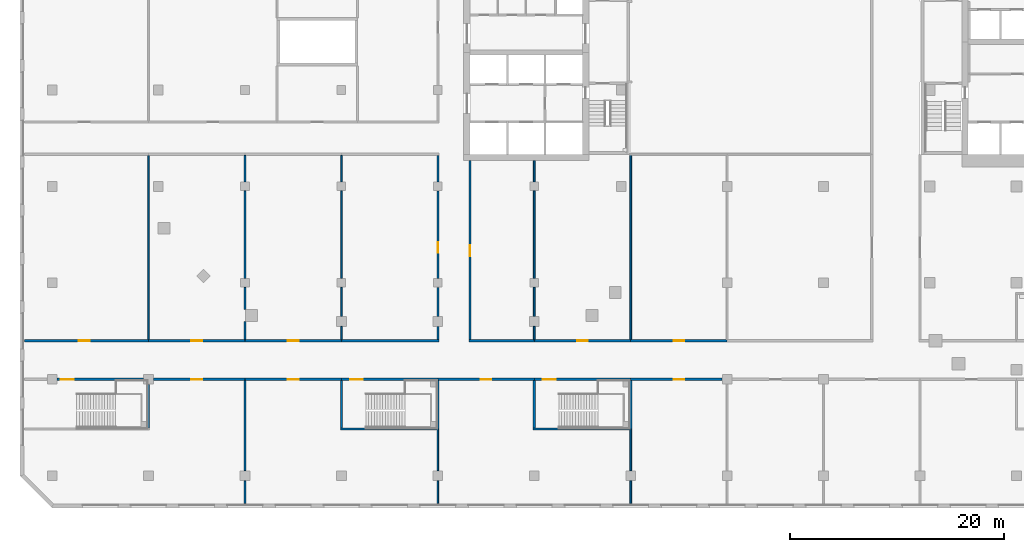
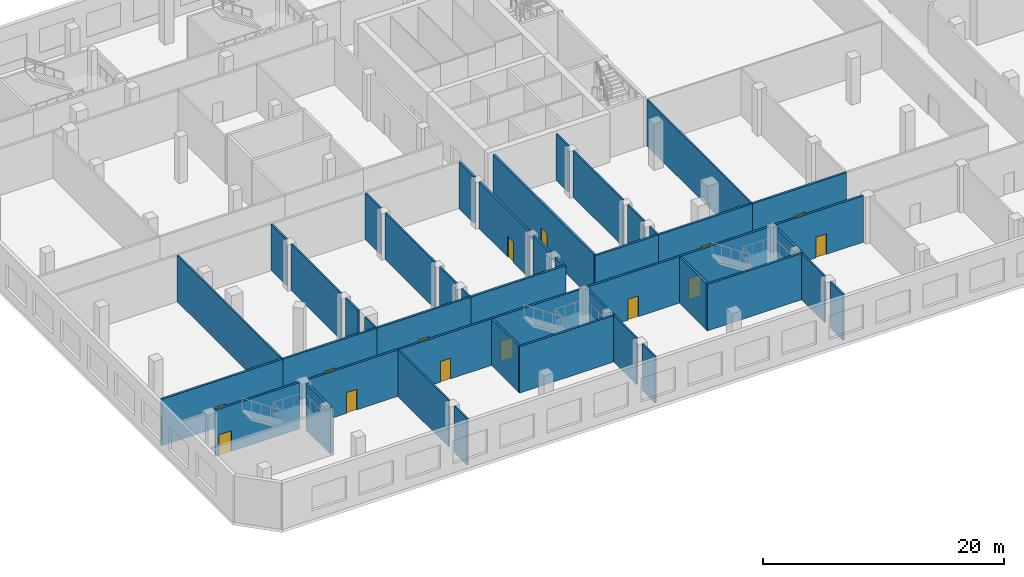
# One storey, part 4 of 21: 46 walls, 14 doors, 14 openings.
"""IFC4 building model written with IfcOpenShell, lengths in metres."""

from ifc_helpers import new_model, si_unit, direction, frame, frame_2d, origin, place, context, subcontext, project, spatial, rectangle, extrude, material, layer, layer_set, type_object, element, fill, save


model = new_model("IFC4")

# Units and contexts
model_context = context("Model", 3, precision=1e-05, world=origin(), true_north=direction((0.0, 1.0)))
body_context = subcontext(model_context, "Body", "Model", "MODEL_VIEW")
ifc_project = project(units=[si_unit("LENGTHUNIT", "METRE"), si_unit("AREAUNIT", "SQUARE_METRE"), si_unit("VOLUMEUNIT", "CUBIC_METRE"), si_unit("PLANEANGLEUNIT", "RADIAN"), si_unit("MASSUNIT", "GRAM", prefix="KILO")], contexts=[model_context])

# Site, building, storey
site_placement = place(None, origin())
site = spatial("IfcSite", under=ifc_project, at=site_placement, CompositionType="ELEMENT")
building_placement = place(site_placement, origin())
building = spatial("IfcBuilding", under=site, at=building_placement, Name="Cinnabar Reach Civic Tower", CompositionType="ELEMENT")
storey_placement = place(building_placement, frame((0.0, 0.0, 11.0)))
storey = spatial("IfcBuildingStorey", under=building, at=storey_placement, Name="L02", CompositionType="ELEMENT", Elevation=11.0)

# Wall, opening, door
ifc_material_1 = material(Name="Concrete blockwork", Category="masonry")
ifc_layer_1 = layer(ifc_material_1, 0.2)
ifc_layer_set_1 = layer_set([ifc_layer_1], Name="Podium masonry corridor wall 200 EI 120")
wall_type_1 = type_object("IfcWallType", Name="Podium masonry corridor wall 200 EI 120", PredefinedType="PARTITIONING", material=ifc_layer_set_1)
wall_1_placement = place(storey_placement, frame((-71.53, 0.0, 0.0), z_axis=(0.0, 0.0, 1.0), x_axis=(1.0, 0.0, 0.0)))
wall_1 = element("IfcWall", 1, at=wall_1_placement, inside=storey, type_object=wall_type_1, Name="Wall L02 41", PredefinedType="PARTITIONING", context=body_context, shape_type="SweptSolid", body=[
    extrude(rectangle(XDim=8.53, YDim=0.2, at=frame_2d((4.265, 0.0))), origin(), (0.0, 0.0, 1.0), 4.7),
])
opening_1_placement = place(wall_1_placement, frame((3.53, 0.0, 0.0)))
opening_1 = element("IfcOpeningElement", 2, at=opening_1_placement, cuts=wall_1, Name="Opening D1110", PredefinedType="OPENING", context=body_context, shape_type="SweptSolid", body=[
    extrude(rectangle(XDim=1.0, YDim=2.1, at=frame_2d((0.5, 1.05))), frame((0.0, 0.11, 0.0), z_axis=(0.0, -1.0, 0.0), x_axis=(1.0, 0.0, 0.0)), (0.0, 0.0, 1.0), 0.22),
])
ifc_material_2 = material(Name="Painted steel door leaf", Category="steel")
door_type_1 = type_object("IfcDoorType", Name="Podium single door 1000x2100", OperationType="SINGLE_SWING_LEFT", PredefinedType="DOOR", material=ifc_material_2)
door_1_placement = place(opening_1_placement, frame((1.0, 0.0, 0.0), z_axis=(0.0, 0.0, 1.0), x_axis=(-1.0, 0.0, 0.0)))
door_1 = element("IfcDoor", 3, at=door_1_placement, inside=storey, type_object=door_type_1, Name="Door D1110", OperationType="SINGLE_SWING_LEFT", OverallHeight=2.1, OverallWidth=1.0, PredefinedType="DOOR", context=body_context, shape_type="SweptSolid", body=[
    extrude(rectangle(XDim=1.0, YDim=2.1, at=frame_2d((0.5, 1.05))), frame((0.0, 0.025, 0.0), z_axis=(0.0, -1.0, 0.0), x_axis=(1.0, 0.0, 0.0)), (0.0, 0.0, 1.0), 0.05),
])
fill(opening_1, door_1)

wall_2_placement = place(storey_placement, frame((-63.0, 0.0, 0.0), z_axis=(0.0, 0.0, 1.0), x_axis=(1.0, 0.0, 0.0)))
wall_2 = element("IfcWall", 4, at=wall_2_placement, inside=storey, type_object=wall_type_1, Name="Wall L02 42", PredefinedType="PARTITIONING", context=body_context, shape_type="SweptSolid", body=[
    extrude(rectangle(XDim=9.0, YDim=0.2, at=frame_2d((4.5, 0.0))), origin(), (0.0, 0.0, 1.0), 4.7),
])
opening_2_placement = place(wall_2_placement, frame((4.0, 0.0, 0.0)))
opening_2 = element("IfcOpeningElement", 5, at=opening_2_placement, cuts=wall_2, Name="Opening D1111", PredefinedType="OPENING", context=body_context, shape_type="SweptSolid", body=[
    extrude(rectangle(XDim=1.0, YDim=2.1, at=frame_2d((0.5, 1.05))), frame((0.0, 0.11, 0.0), z_axis=(0.0, -1.0, 0.0), x_axis=(1.0, 0.0, 0.0)), (0.0, 0.0, 1.0), 0.22),
])
door_2_placement = place(opening_2_placement, frame((1.0, 0.0, 0.0), z_axis=(0.0, 0.0, 1.0), x_axis=(-1.0, 0.0, 0.0)))
door_2 = element("IfcDoor", 6, at=door_2_placement, inside=storey, type_object=door_type_1, Name="Door D1111", OperationType="SINGLE_SWING_LEFT", OverallHeight=2.1, OverallWidth=1.0, PredefinedType="DOOR", context=body_context, shape_type="SweptSolid", body=[
    extrude(rectangle(XDim=1.0, YDim=2.1, at=frame_2d((0.5, 1.05))), frame((0.0, 0.025, 0.0), z_axis=(0.0, -1.0, 0.0), x_axis=(1.0, 0.0, 0.0)), (0.0, 0.0, 1.0), 0.05),
])
fill(opening_2, door_2)

wall_3_placement = place(storey_placement, frame((-45.0, 0.0, 0.0), z_axis=(0.0, 0.0, 1.0), x_axis=(1.0, 0.0, 0.0)))
wall_3 = element("IfcWall", 7, at=wall_3_placement, inside=storey, type_object=wall_type_1, Name="Wall L02 43", PredefinedType="PARTITIONING", context=body_context, shape_type="SweptSolid", body=[
    extrude(rectangle(XDim=9.0, YDim=0.2, at=frame_2d((4.5, 0.0))), origin(), (0.0, 0.0, 1.0), 4.7),
])
opening_3_placement = place(wall_3_placement, frame((4.0, 0.0, 0.0)))
opening_3 = element("IfcOpeningElement", 8, at=opening_3_placement, cuts=wall_3, Name="Opening D1112", PredefinedType="OPENING", context=body_context, shape_type="SweptSolid", body=[
    extrude(rectangle(XDim=1.0, YDim=2.1, at=frame_2d((0.5, 1.05))), frame((0.0, 0.11, 0.0), z_axis=(0.0, -1.0, 0.0), x_axis=(1.0, 0.0, 0.0)), (0.0, 0.0, 1.0), 0.22),
])
door_3_placement = place(opening_3_placement, frame((1.0, 0.0, 0.0), z_axis=(0.0, 0.0, 1.0), x_axis=(-1.0, 0.0, 0.0)))
door_3 = element("IfcDoor", 9, at=door_3_placement, inside=storey, type_object=door_type_1, Name="Door D1112", OperationType="SINGLE_SWING_LEFT", OverallHeight=2.1, OverallWidth=1.0, PredefinedType="DOOR", context=body_context, shape_type="SweptSolid", body=[
    extrude(rectangle(XDim=1.0, YDim=2.1, at=frame_2d((0.5, 1.05))), frame((0.0, 0.025, 0.0), z_axis=(0.0, -1.0, 0.0), x_axis=(1.0, 0.0, 0.0)), (0.0, 0.0, 1.0), 0.05),
])
fill(opening_3, door_3)

wall_4_placement = place(storey_placement, frame((-83.6, 3.6, 0.0), z_axis=(0.0, 0.0, 1.0), x_axis=(1.0, 0.0, 0.0)))
wall_4 = element("IfcWall", 10, at=wall_4_placement, inside=storey, type_object=wall_type_1, Name="Wall L02 44", PredefinedType="PARTITIONING", context=body_context, shape_type="SweptSolid", body=[
    extrude(rectangle(XDim=11.6, YDim=0.2, at=frame_2d((5.8, 0.0))), origin(), (0.0, 0.0, 1.0), 4.7),
])
opening_4_placement = place(wall_4_placement, frame((5.1, 0.0, 0.0)))
opening_4 = element("IfcOpeningElement", 11, at=opening_4_placement, cuts=wall_4, Name="Opening D1118", PredefinedType="OPENING", context=body_context, shape_type="SweptSolid", body=[
    extrude(rectangle(XDim=1.0, YDim=2.1, at=frame_2d((0.5, 1.05))), frame((0.0, 0.11, 0.0), z_axis=(0.0, -1.0, 0.0), x_axis=(1.0, 0.0, 0.0)), (0.0, 0.0, 1.0), 0.22),
])
door_4_placement = place(opening_4_placement, origin())
door_4 = element("IfcDoor", 12, at=door_4_placement, inside=storey, type_object=door_type_1, Name="Door D1118", OperationType="SINGLE_SWING_LEFT", OverallHeight=2.1, OverallWidth=1.0, PredefinedType="DOOR", context=body_context, shape_type="SweptSolid", body=[
    extrude(rectangle(XDim=1.0, YDim=2.1, at=frame_2d((0.5, 1.05))), frame((0.0, 0.025, 0.0), z_axis=(0.0, -1.0, 0.0), x_axis=(1.0, 0.0, 0.0)), (0.0, 0.0, 1.0), 0.05),
])
fill(opening_4, door_4)

wall_5_placement = place(storey_placement, frame((-72.0, 3.6, 0.0), z_axis=(0.0, 0.0, 1.0), x_axis=(1.0, 0.0, 0.0)))
wall_5 = element("IfcWall", 13, at=wall_5_placement, inside=storey, type_object=wall_type_1, Name="Wall L02 45", PredefinedType="PARTITIONING", context=body_context, shape_type="SweptSolid", body=[
    extrude(rectangle(XDim=9.0, YDim=0.2, at=frame_2d((4.5, 0.0))), origin(), (0.0, 0.0, 1.0), 4.7),
])
opening_5_placement = place(wall_5_placement, frame((4.0, 0.0, 0.0)))
opening_5 = element("IfcOpeningElement", 14, at=opening_5_placement, cuts=wall_5, Name="Opening D1119", PredefinedType="OPENING", context=body_context, shape_type="SweptSolid", body=[
    extrude(rectangle(XDim=1.0, YDim=2.1, at=frame_2d((0.5, 1.05))), frame((0.0, 0.11, 0.0), z_axis=(0.0, -1.0, 0.0), x_axis=(1.0, 0.0, 0.0)), (0.0, 0.0, 1.0), 0.22),
])
door_5_placement = place(opening_5_placement, origin())
door_5 = element("IfcDoor", 15, at=door_5_placement, inside=storey, type_object=door_type_1, Name="Door D1119", OperationType="SINGLE_SWING_LEFT", OverallHeight=2.1, OverallWidth=1.0, PredefinedType="DOOR", context=body_context, shape_type="SweptSolid", body=[
    extrude(rectangle(XDim=1.0, YDim=2.1, at=frame_2d((0.5, 1.05))), frame((0.0, 0.025, 0.0), z_axis=(0.0, -1.0, 0.0), x_axis=(1.0, 0.0, 0.0)), (0.0, 0.0, 1.0), 0.05),
])
fill(opening_5, door_5)

wall_6_placement = place(storey_placement, frame((-63.0, 3.6, 0.0), z_axis=(0.0, 0.0, 1.0), x_axis=(1.0, 0.0, 0.0)))
wall_6 = element("IfcWall", 16, at=wall_6_placement, inside=storey, type_object=wall_type_1, Name="Wall L02 46", PredefinedType="PARTITIONING", context=body_context, shape_type="SweptSolid", body=[
    extrude(rectangle(XDim=9.0, YDim=0.2, at=frame_2d((4.5, 0.0))), origin(), (0.0, 0.0, 1.0), 4.7),
])
opening_6_placement = place(wall_6_placement, frame((4.0, 0.0, 0.0)))
opening_6 = element("IfcOpeningElement", 17, at=opening_6_placement, cuts=wall_6, Name="Opening D1120", PredefinedType="OPENING", context=body_context, shape_type="SweptSolid", body=[
    extrude(rectangle(XDim=1.0, YDim=2.1, at=frame_2d((0.5, 1.05))), frame((0.0, 0.11, 0.0), z_axis=(0.0, -1.0, 0.0), x_axis=(1.0, 0.0, 0.0)), (0.0, 0.0, 1.0), 0.22),
])
door_6_placement = place(opening_6_placement, origin())
door_6 = element("IfcDoor", 18, at=door_6_placement, inside=storey, type_object=door_type_1, Name="Door D1120", OperationType="SINGLE_SWING_LEFT", OverallHeight=2.1, OverallWidth=1.0, PredefinedType="DOOR", context=body_context, shape_type="SweptSolid", body=[
    extrude(rectangle(XDim=1.0, YDim=2.1, at=frame_2d((0.5, 1.05))), frame((0.0, 0.025, 0.0), z_axis=(0.0, -1.0, 0.0), x_axis=(1.0, 0.0, 0.0)), (0.0, 0.0, 1.0), 0.05),
])
fill(opening_6, door_6)

# Walls
wall_7_placement = place(storey_placement, frame((-54.0, 3.6, 0.0), z_axis=(0.0, 0.0, 1.0), x_axis=(1.0, 0.0, 0.0)))
element("IfcWall", 19, at=wall_7_placement, inside=storey, type_object=wall_type_1, Name="Wall L02 47", PredefinedType="PARTITIONING", context=body_context, shape_type="SweptSolid", body=[
    extrude(rectangle(XDim=9.1, YDim=0.2, at=frame_2d((4.55, 0.0))), origin(), (0.0, 0.0, 1.0), 4.7),
])
wall_8_placement = place(storey_placement, frame((-42.1, 3.6, 0.0), z_axis=(0.0, 0.0, 1.0), x_axis=(1.0, 0.0, 0.0)))
element("IfcWall", 20, at=wall_8_placement, inside=storey, type_object=wall_type_1, Name="Wall L02 48", PredefinedType="PARTITIONING", context=body_context, shape_type="SweptSolid", body=[
    extrude(rectangle(XDim=6.1, YDim=0.2, at=frame_2d((3.05, 0.0))), origin(), (0.0, 0.0, 1.0), 4.7),
])

# Wall, opening, door
wall_9_placement = place(storey_placement, frame((-36.0, 3.6, 0.0), z_axis=(0.0, 0.0, 1.0), x_axis=(1.0, 0.0, 0.0)))
wall_9 = element("IfcWall", 21, at=wall_9_placement, inside=storey, type_object=wall_type_1, Name="Wall L02 49", PredefinedType="PARTITIONING", context=body_context, shape_type="SweptSolid", body=[
    extrude(rectangle(XDim=9.0, YDim=0.2, at=frame_2d((4.5, 0.0))), origin(), (0.0, 0.0, 1.0), 4.7),
])
opening_7_placement = place(wall_9_placement, frame((4.0, 0.0, 0.0)))
opening_7 = element("IfcOpeningElement", 22, at=opening_7_placement, cuts=wall_9, Name="Opening D1123", PredefinedType="OPENING", context=body_context, shape_type="SweptSolid", body=[
    extrude(rectangle(XDim=1.0, YDim=2.1, at=frame_2d((0.5, 1.05))), frame((0.0, 0.11, 0.0), z_axis=(0.0, -1.0, 0.0), x_axis=(1.0, 0.0, 0.0)), (0.0, 0.0, 1.0), 0.22),
])
door_7_placement = place(opening_7_placement, origin())
door_7 = element("IfcDoor", 23, at=door_7_placement, inside=storey, type_object=door_type_1, Name="Door D1123", OperationType="SINGLE_SWING_LEFT", OverallHeight=2.1, OverallWidth=1.0, PredefinedType="DOOR", context=body_context, shape_type="SweptSolid", body=[
    extrude(rectangle(XDim=1.0, YDim=2.1, at=frame_2d((0.5, 1.05))), frame((0.0, 0.025, 0.0), z_axis=(0.0, -1.0, 0.0), x_axis=(1.0, 0.0, 0.0)), (0.0, 0.0, 1.0), 0.05),
])
fill(opening_7, door_7)

# Walls
wall_10_placement = place(storey_placement, frame((-45.0, 3.7, 0.0), z_axis=(0.0, 0.0, 1.0), x_axis=(0.0, 1.0, 0.0)))
element("IfcWall", 24, at=wall_10_placement, inside=storey, type_object=wall_type_1, Name="Wall L02 65", PredefinedType="PARTITIONING", context=body_context, shape_type="SweptSolid", body=[
    extrude(rectangle(XDim=1.23, YDim=0.2, at=frame_2d((0.615, 0.0))), origin(), (0.0, 0.0, 1.0), 4.7),
])
wall_11_placement = place(storey_placement, frame((-45.0, 5.87, 0.0), z_axis=(0.0, 0.0, 1.0), x_axis=(0.0, 1.0, 0.0)))
element("IfcWall", 25, at=wall_11_placement, inside=storey, type_object=wall_type_1, Name="Wall L02 66", PredefinedType="PARTITIONING", context=body_context, shape_type="SweptSolid", body=[
    extrude(rectangle(XDim=2.71, YDim=0.2, at=frame_2d((1.355, 0.0))), origin(), (0.0, 0.0, 1.0), 4.7),
])

# Wall, opening, door
wall_12_placement = place(storey_placement, frame((-45.0, 9.42, 0.0), z_axis=(0.0, 0.0, 1.0), x_axis=(0.0, 1.0, 0.0)))
wall_12 = element("IfcWall", 26, at=wall_12_placement, inside=storey, type_object=wall_type_1, Name="Wall L02 67", PredefinedType="PARTITIONING", context=body_context, shape_type="SweptSolid", body=[
    extrude(rectangle(XDim=8.16, YDim=0.2, at=frame_2d((4.08, 0.0))), origin(), (0.0, 0.0, 1.0), 4.7),
])
opening_8_placement = place(wall_12_placement, frame((2.38, 0.0, 0.0)))
opening_8 = element("IfcOpeningElement", 27, at=opening_8_placement, cuts=wall_12, Name="Opening D1121", PredefinedType="OPENING", context=body_context, shape_type="SweptSolid", body=[
    extrude(rectangle(XDim=1.0, YDim=2.1, at=frame_2d((0.5, 1.05))), frame((0.0, 0.11, 0.0), z_axis=(0.0, -1.0, 0.0), x_axis=(1.0, 0.0, 0.0)), (0.0, 0.0, 1.0), 0.22),
])
door_8_placement = place(opening_8_placement, origin())
door_8 = element("IfcDoor", 28, at=door_8_placement, inside=storey, type_object=door_type_1, Name="Door D1121", OperationType="SINGLE_SWING_RIGHT", OverallHeight=2.1, OverallWidth=1.0, PredefinedType="DOOR", context=body_context, shape_type="SweptSolid", body=[
    extrude(rectangle(XDim=1.0, YDim=2.1, at=frame_2d((0.5, 1.05))), frame((0.0, 0.025, 0.0), z_axis=(0.0, -1.0, 0.0), x_axis=(1.0, 0.0, 0.0)), (0.0, 0.0, 1.0), 0.05),
])
fill(opening_8, door_8)

# Wall
wall_13_placement = place(storey_placement, frame((-45.0, 18.42, 0.0), z_axis=(0.0, 0.0, 1.0), x_axis=(0.0, 1.0, 0.0)))
element("IfcWall", 29, at=wall_13_placement, inside=storey, type_object=wall_type_1, Name="Wall L02 68", PredefinedType="PARTITIONING", context=body_context, shape_type="SweptSolid", body=[
    extrude(rectangle(XDim=2.48, YDim=0.2, at=frame_2d((1.24, 0.0))), origin(), (0.0, 0.0, 1.0), 4.7),
])

# Wall, opening, door
wall_14_placement = place(storey_placement, frame((-42.0, 3.7, 0.0), z_axis=(0.0, 0.0, 1.0), x_axis=(0.0, 1.0, 0.0)))
wall_14 = element("IfcWall", 30, at=wall_14_placement, inside=storey, type_object=wall_type_1, Name="Wall L02 69", PredefinedType="PARTITIONING", context=body_context, shape_type="SweptSolid", body=[
    extrude(rectangle(XDim=16.7, YDim=0.2, at=frame_2d((8.35, 0.0))), origin(), (0.0, 0.0, 1.0), 4.7),
])
opening_9_placement = place(wall_14_placement, frame((7.8, 0.0, 0.0)))
opening_9 = element("IfcOpeningElement", 31, at=opening_9_placement, cuts=wall_14, Name="Opening D1122", PredefinedType="OPENING", context=body_context, shape_type="SweptSolid", body=[
    extrude(rectangle(XDim=1.0, YDim=2.1, at=frame_2d((0.5, 1.05))), frame((0.0, 0.11, 0.0), z_axis=(0.0, -1.0, 0.0), x_axis=(1.0, 0.0, 0.0)), (0.0, 0.0, 1.0), 0.22),
])
door_9_placement = place(opening_9_placement, frame((1.0, 0.0, 0.0), z_axis=(0.0, 0.0, 1.0), x_axis=(-1.0, 0.0, 0.0)))
door_9 = element("IfcDoor", 32, at=door_9_placement, inside=storey, type_object=door_type_1, Name="Door D1122", OperationType="SINGLE_SWING_RIGHT", OverallHeight=2.1, OverallWidth=1.0, PredefinedType="DOOR", context=body_context, shape_type="SweptSolid", body=[
    extrude(rectangle(XDim=1.0, YDim=2.1, at=frame_2d((0.5, 1.05))), frame((0.0, 0.025, 0.0), z_axis=(0.0, -1.0, 0.0), x_axis=(1.0, 0.0, 0.0)), (0.0, 0.0, 1.0), 0.05),
])
fill(opening_9, door_9)

wall_15_placement = place(storey_placement, frame((-27.0, 3.6, 0.0), z_axis=(0.0, 0.0, 1.0), x_axis=(1.0, 0.0, 0.0)))
wall_15 = element("IfcWall", 33, at=wall_15_placement, inside=storey, type_object=wall_type_1, Name="Wall L02 121", PredefinedType="PARTITIONING", context=body_context, shape_type="SweptSolid", body=[
    extrude(rectangle(XDim=9.0, YDim=0.2, at=frame_2d((4.5, 0.0))), origin(), (0.0, 0.0, 1.0), 4.7),
])
opening_10_placement = place(wall_15_placement, frame((4.0, 0.0, 0.0)))
opening_10 = element("IfcOpeningElement", 34, at=opening_10_placement, cuts=wall_15, Name="Opening D1102", PredefinedType="OPENING", context=body_context, shape_type="SweptSolid", body=[
    extrude(rectangle(XDim=1.0, YDim=2.1, at=frame_2d((0.5, 1.05))), frame((0.0, 0.11, 0.0), z_axis=(0.0, -1.0, 0.0), x_axis=(1.0, 0.0, 0.0)), (0.0, 0.0, 1.0), 0.22),
])
door_10_placement = place(opening_10_placement, origin())
door_10 = element("IfcDoor", 35, at=door_10_placement, inside=storey, type_object=door_type_1, Name="Door D1102", OperationType="SINGLE_SWING_RIGHT", OverallHeight=2.1, OverallWidth=1.0, PredefinedType="DOOR", context=body_context, shape_type="SweptSolid", body=[
    extrude(rectangle(XDim=1.0, YDim=2.1, at=frame_2d((0.5, 1.05))), frame((0.0, 0.025, 0.0), z_axis=(0.0, -1.0, 0.0), x_axis=(1.0, 0.0, 0.0)), (0.0, 0.0, 1.0), 0.05),
])
fill(opening_10, door_10)

wall_16_placement = place(storey_placement, frame((-27.0, 0.0, 0.0), z_axis=(0.0, 0.0, 1.0), x_axis=(1.0, 0.0, 0.0)))
wall_16 = element("IfcWall", 36, at=wall_16_placement, inside=storey, type_object=wall_type_1, Name="Wall L02 123", PredefinedType="PARTITIONING", context=body_context, shape_type="SweptSolid", body=[
    extrude(rectangle(XDim=8.53, YDim=0.2, at=frame_2d((4.265, 0.0))), origin(), (0.0, 0.0, 1.0), 4.7),
])
opening_11_placement = place(wall_16_placement, frame((4.0, 0.0, 0.0)))
opening_11 = element("IfcOpeningElement", 37, at=opening_11_placement, cuts=wall_16, Name="Opening D1107", PredefinedType="OPENING", context=body_context, shape_type="SweptSolid", body=[
    extrude(rectangle(XDim=1.0, YDim=2.1, at=frame_2d((0.5, 1.05))), frame((0.0, 0.11, 0.0), z_axis=(0.0, -1.0, 0.0), x_axis=(1.0, 0.0, 0.0)), (0.0, 0.0, 1.0), 0.22),
])
door_11_placement = place(opening_11_placement, frame((1.0, 0.0, 0.0), z_axis=(0.0, 0.0, 1.0), x_axis=(-1.0, 0.0, 0.0)))
door_11 = element("IfcDoor", 38, at=door_11_placement, inside=storey, type_object=door_type_1, Name="Door D1107", OperationType="SINGLE_SWING_LEFT", OverallHeight=2.1, OverallWidth=1.0, PredefinedType="DOOR", context=body_context, shape_type="SweptSolid", body=[
    extrude(rectangle(XDim=1.0, YDim=2.1, at=frame_2d((0.5, 1.05))), frame((0.0, 0.025, 0.0), z_axis=(0.0, -1.0, 0.0), x_axis=(1.0, 0.0, 0.0)), (0.0, 0.0, 1.0), 0.05),
])
fill(opening_11, door_11)

# Walls
ifc_material_3 = material(Name="Gypsum board on steel studs", Category="steel")
ifc_layer_2 = layer(ifc_material_3, 0.15)
ifc_layer_set_2 = layer_set([ifc_layer_2], Name="Podium partition wall 150 EI 90")
wall_type_2 = type_object("IfcWallType", Name="Podium partition wall 150 EI 90", PredefinedType="PARTITIONING", material=ifc_layer_set_2)
wall_17_placement = place(storey_placement, frame((-27.0, 3.7, 0.0), z_axis=(0.0, 0.0, 1.0), x_axis=(0.0, 1.0, 0.0)))
element("IfcWall", 39, at=wall_17_placement, inside=storey, type_object=wall_type_2, Name="Wall L02 137", PredefinedType="PARTITIONING", context=body_context, shape_type="SweptSolid", body=[
    extrude(rectangle(XDim=17.225, YDim=0.15, at=frame_2d((8.6125, 0.0))), origin(), (0.0, 0.0, 1.0), 4.7),
])
wall_18_placement = place(storey_placement, frame((-27.0, -11.6, 0.0), z_axis=(0.0, 0.0, 1.0), x_axis=(0.0, 1.0, 0.0)))
element("IfcWall", 40, at=wall_18_placement, inside=storey, type_object=wall_type_2, Name="Wall L02 153", PredefinedType="PARTITIONING", context=body_context, shape_type="SweptSolid", body=[
    extrude(rectangle(XDim=2.13, YDim=0.15, at=frame_2d((1.065, 0.0))), origin(), (0.0, 0.0, 1.0), 4.7),
])
wall_19_placement = place(storey_placement, frame((-27.0, -8.53, 0.0), z_axis=(0.0, 0.0, 1.0), x_axis=(0.0, 1.0, 0.0)))
element("IfcWall", 41, at=wall_19_placement, inside=storey, type_object=wall_type_2, Name="Wall L02 154", PredefinedType="PARTITIONING", context=body_context, shape_type="SweptSolid", body=[
    extrude(rectangle(XDim=3.88, YDim=0.15, at=frame_2d((1.94, 0.0))), origin(), (0.0, 0.0, 1.0), 4.7),
])
wall_20_placement = place(storey_placement, frame((-63.0, -11.6, 0.0), z_axis=(0.0, 0.0, 1.0), x_axis=(0.0, 1.0, 0.0)))
element("IfcWall", 42, at=wall_20_placement, inside=storey, type_object=wall_type_2, Name="Wall L02 159", PredefinedType="PARTITIONING", context=body_context, shape_type="SweptSolid", body=[
    extrude(rectangle(XDim=2.13, YDim=0.15, at=frame_2d((1.065, 0.0))), origin(), (0.0, 0.0, 1.0), 4.7),
])
wall_21_placement = place(storey_placement, frame((-63.0, -8.53, 0.0), z_axis=(0.0, 0.0, 1.0), x_axis=(0.0, 1.0, 0.0)))
element("IfcWall", 43, at=wall_21_placement, inside=storey, type_object=wall_type_2, Name="Wall L02 160", PredefinedType="PARTITIONING", context=body_context, shape_type="SweptSolid", body=[
    extrude(rectangle(XDim=8.43, YDim=0.15, at=frame_2d((4.215, 0.0))), origin(), (0.0, 0.0, 1.0), 4.7),
])
wall_22_placement = place(storey_placement, frame((-45.0, -11.6, 0.0), z_axis=(0.0, 0.0, 1.0), x_axis=(0.0, 1.0, 0.0)))
element("IfcWall", 44, at=wall_22_placement, inside=storey, type_object=wall_type_2, Name="Wall L02 161", PredefinedType="PARTITIONING", context=body_context, shape_type="SweptSolid", body=[
    extrude(rectangle(XDim=2.13, YDim=0.15, at=frame_2d((1.065, 0.0))), origin(), (0.0, 0.0, 1.0), 4.7),
])
wall_23_placement = place(storey_placement, frame((-45.0, -8.53, 0.0), z_axis=(0.0, 0.0, 1.0), x_axis=(0.0, 1.0, 0.0)))
element("IfcWall", 45, at=wall_23_placement, inside=storey, type_object=wall_type_2, Name="Wall L02 162", PredefinedType="PARTITIONING", context=body_context, shape_type="SweptSolid", body=[
    extrude(rectangle(XDim=3.88, YDim=0.15, at=frame_2d((1.94, 0.0))), origin(), (0.0, 0.0, 1.0), 4.7),
])
wall_24_placement = place(storey_placement, frame((-72.0, 3.7, 0.0), z_axis=(0.0, 0.0, 1.0), x_axis=(0.0, 1.0, 0.0)))
element("IfcWall", 46, at=wall_24_placement, inside=storey, type_object=wall_type_2, Name="Wall L02 171", PredefinedType="PARTITIONING", context=body_context, shape_type="SweptSolid", body=[
    extrude(rectangle(XDim=17.2, YDim=0.15, at=frame_2d((8.6, 0.0))), origin(), (0.0, 0.0, 1.0), 4.7),
])
wall_25_placement = place(storey_placement, frame((-63.0, 3.7, 0.0), z_axis=(0.0, 0.0, 1.0), x_axis=(0.0, 1.0, 0.0)))
element("IfcWall", 47, at=wall_25_placement, inside=storey, type_object=wall_type_2, Name="Wall L02 172", PredefinedType="PARTITIONING", context=body_context, shape_type="SweptSolid", body=[
    extrude(rectangle(XDim=1.6831, YDim=0.15, at=frame_2d((0.8416, 0.0))), origin(), (0.0, 0.0, 1.0), 4.7),
])
wall_26_placement = place(storey_placement, frame((-63.0, 6.5231, 0.0), z_axis=(0.0, 0.0, 1.0), x_axis=(0.0, 1.0, 0.0)))
element("IfcWall", 48, at=wall_26_placement, inside=storey, type_object=wall_type_2, Name="Wall L02 173", PredefinedType="PARTITIONING", context=body_context, shape_type="SweptSolid", body=[
    extrude(rectangle(XDim=2.0569, YDim=0.15, at=frame_2d((1.0285, 0.0))), origin(), (0.0, 0.0, 1.0), 4.7),
])
wall_27_placement = place(storey_placement, frame((-63.0, 9.42, 0.0), z_axis=(0.0, 0.0, 1.0), x_axis=(0.0, 1.0, 0.0)))
element("IfcWall", 49, at=wall_27_placement, inside=storey, type_object=wall_type_2, Name="Wall L02 174", PredefinedType="PARTITIONING", context=body_context, shape_type="SweptSolid", body=[
    extrude(rectangle(XDim=8.16, YDim=0.15, at=frame_2d((4.08, 0.0))), origin(), (0.0, 0.0, 1.0), 4.7),
])
wall_28_placement = place(storey_placement, frame((-63.0, 18.42, 0.0), z_axis=(0.0, 0.0, 1.0), x_axis=(0.0, 1.0, 0.0)))
element("IfcWall", 50, at=wall_28_placement, inside=storey, type_object=wall_type_2, Name="Wall L02 175", PredefinedType="PARTITIONING", context=body_context, shape_type="SweptSolid", body=[
    extrude(rectangle(XDim=2.48, YDim=0.15, at=frame_2d((1.24, 0.0))), origin(), (0.0, 0.0, 1.0), 4.7),
])
wall_29_placement = place(storey_placement, frame((-54.0, 3.7, 0.0), z_axis=(0.0, 0.0, 1.0), x_axis=(0.0, 1.0, 0.0)))
element("IfcWall", 51, at=wall_29_placement, inside=storey, type_object=wall_type_2, Name="Wall L02 176", PredefinedType="PARTITIONING", context=body_context, shape_type="SweptSolid", body=[
    extrude(rectangle(XDim=1.23, YDim=0.15, at=frame_2d((0.615, 0.0))), origin(), (0.0, 0.0, 1.0), 4.7),
])
wall_30_placement = place(storey_placement, frame((-54.0, 5.87, 0.0), z_axis=(0.0, 0.0, 1.0), x_axis=(0.0, 1.0, 0.0)))
element("IfcWall", 52, at=wall_30_placement, inside=storey, type_object=wall_type_2, Name="Wall L02 177", PredefinedType="PARTITIONING", context=body_context, shape_type="SweptSolid", body=[
    extrude(rectangle(XDim=2.71, YDim=0.15, at=frame_2d((1.355, 0.0))), origin(), (0.0, 0.0, 1.0), 4.7),
])
wall_31_placement = place(storey_placement, frame((-54.0, 9.42, 0.0), z_axis=(0.0, 0.0, 1.0), x_axis=(0.0, 1.0, 0.0)))
element("IfcWall", 53, at=wall_31_placement, inside=storey, type_object=wall_type_2, Name="Wall L02 178", PredefinedType="PARTITIONING", context=body_context, shape_type="SweptSolid", body=[
    extrude(rectangle(XDim=8.16, YDim=0.15, at=frame_2d((4.08, 0.0))), origin(), (0.0, 0.0, 1.0), 4.7),
])
wall_32_placement = place(storey_placement, frame((-54.0, 18.42, 0.0), z_axis=(0.0, 0.0, 1.0), x_axis=(0.0, 1.0, 0.0)))
element("IfcWall", 54, at=wall_32_placement, inside=storey, type_object=wall_type_2, Name="Wall L02 179", PredefinedType="PARTITIONING", context=body_context, shape_type="SweptSolid", body=[
    extrude(rectangle(XDim=2.48, YDim=0.15, at=frame_2d((1.24, 0.0))), origin(), (0.0, 0.0, 1.0), 4.7),
])
wall_33_placement = place(storey_placement, frame((-36.0, 3.7, 0.0), z_axis=(0.0, 0.0, 1.0), x_axis=(0.0, 1.0, 0.0)))
element("IfcWall", 55, at=wall_33_placement, inside=storey, type_object=wall_type_2, Name="Wall L02 180", PredefinedType="PARTITIONING", context=body_context, shape_type="SweptSolid", body=[
    extrude(rectangle(XDim=1.23, YDim=0.15, at=frame_2d((0.615, 0.0))), origin(), (0.0, 0.0, 1.0), 4.7),
])
wall_34_placement = place(storey_placement, frame((-36.0, 5.87, 0.0), z_axis=(0.0, 0.0, 1.0), x_axis=(0.0, 1.0, 0.0)))
element("IfcWall", 56, at=wall_34_placement, inside=storey, type_object=wall_type_2, Name="Wall L02 181", PredefinedType="PARTITIONING", context=body_context, shape_type="SweptSolid", body=[
    extrude(rectangle(XDim=2.71, YDim=0.15, at=frame_2d((1.355, 0.0))), origin(), (0.0, 0.0, 1.0), 4.7),
])
wall_35_placement = place(storey_placement, frame((-36.0, 9.42, 0.0), z_axis=(0.0, 0.0, 1.0), x_axis=(0.0, 1.0, 0.0)))
element("IfcWall", 57, at=wall_35_placement, inside=storey, type_object=wall_type_2, Name="Wall L02 182", PredefinedType="PARTITIONING", context=body_context, shape_type="SweptSolid", body=[
    extrude(rectangle(XDim=8.16, YDim=0.15, at=frame_2d((4.08, 0.0))), origin(), (0.0, 0.0, 1.0), 4.7),
])
wall_36_placement = place(storey_placement, frame((-36.0, 18.42, 0.0), z_axis=(0.0, 0.0, 1.0), x_axis=(0.0, 1.0, 0.0)))
element("IfcWall", 58, at=wall_36_placement, inside=storey, type_object=wall_type_2, Name="Wall L02 183", PredefinedType="PARTITIONING", context=body_context, shape_type="SweptSolid", body=[
    extrude(rectangle(XDim=1.98, YDim=0.15, at=frame_2d((0.99, 0.0))), origin(), (0.0, 0.0, 1.0), 4.7),
])

# Wall, opening, door
ifc_material_4 = material(Name="Concrete C40", Category="concrete")
ifc_layer_3 = layer(ifc_material_4, 0.2)
ifc_layer_set_3 = layer_set([ifc_layer_3], Name="Podium stair shaft wall 200 EI 120")
wall_type_3 = type_object("IfcWallType", Name="Podium stair shaft wall 200 EI 120", PredefinedType="SOLIDWALL", material=ifc_layer_set_3)
wall_37_placement = place(storey_placement, frame((-80.53, 0.0, 0.0), z_axis=(0.0, 0.0, 1.0), x_axis=(1.0, 0.0, 0.0)))
wall_37 = element("IfcWall", 59, at=wall_37_placement, inside=storey, type_object=wall_type_3, Name="Wall L02 2", PredefinedType="SOLIDWALL", context=body_context, shape_type="SweptSolid", body=[
    extrude(rectangle(XDim=8.06, YDim=0.2, at=frame_2d((4.03, 0.0))), origin(), (0.0, 0.0, 1.0), 4.7),
])
opening_12_placement = place(wall_37_placement, frame((0.33, 0.0, 0.0)))
opening_12 = element("IfcOpeningElement", 60, at=opening_12_placement, cuts=wall_37, Name="Opening D1153", PredefinedType="OPENING", context=body_context, shape_type="SweptSolid", body=[
    extrude(rectangle(XDim=1.2, YDim=2.1, at=frame_2d((0.6, 1.05))), frame((0.0, 0.11, 0.0), z_axis=(0.0, -1.0, 0.0), x_axis=(1.0, 0.0, 0.0)), (0.0, 0.0, 1.0), 0.22),
])
door_type_2 = type_object("IfcDoorType", Name="Podium single door 1200x2100", OperationType="SINGLE_SWING_LEFT", PredefinedType="DOOR", material=ifc_material_2)
door_12_placement = place(opening_12_placement, frame((1.2, 0.0, 0.0), z_axis=(0.0, 0.0, 1.0), x_axis=(-1.0, 0.0, 0.0)))
door_12 = element("IfcDoor", 61, at=door_12_placement, inside=storey, type_object=door_type_2, Name="Door D1153", OperationType="SINGLE_SWING_RIGHT", OverallHeight=2.1, OverallWidth=1.2, PredefinedType="DOOR", context=body_context, shape_type="SweptSolid", body=[
    extrude(rectangle(XDim=1.2, YDim=2.1, at=frame_2d((0.6, 1.05))), frame((0.0, 0.025, 0.0), z_axis=(0.0, -1.0, 0.0), x_axis=(1.0, 0.0, 0.0)), (0.0, 0.0, 1.0), 0.05),
])
fill(opening_12, door_12)

# Wall
wall_38_placement = place(storey_placement, frame((-72.0, -4.55, 0.0), z_axis=(0.0, 0.0, 1.0), x_axis=(0.0, 1.0, 0.0)))
element("IfcWall", 62, at=wall_38_placement, inside=storey, type_object=wall_type_3, Name="Wall L02 3", PredefinedType="SOLIDWALL", context=body_context, shape_type="SweptSolid", body=[
    extrude(rectangle(XDim=4.08, YDim=0.2, at=frame_2d((2.04, 0.0))), origin(), (0.0, 0.0, 1.0), 4.7),
])

# Wall, opening, door
wall_39_placement = place(storey_placement, frame((-54.0, 0.0, 0.0), z_axis=(0.0, 0.0, 1.0), x_axis=(1.0, 0.0, 0.0)))
wall_39 = element("IfcWall", 63, at=wall_39_placement, inside=storey, type_object=wall_type_3, Name="Wall L02 33", PredefinedType="SOLIDWALL", context=body_context, shape_type="SweptSolid", body=[
    extrude(rectangle(XDim=9.0, YDim=0.2, at=frame_2d((4.5, 0.0))), origin(), (0.0, 0.0, 1.0), 4.7),
])
opening_13_placement = place(wall_39_placement, frame((0.8, 0.0, 0.0)))
opening_13 = element("IfcOpeningElement", 64, at=opening_13_placement, cuts=wall_39, Name="Opening D1160", PredefinedType="OPENING", context=body_context, shape_type="SweptSolid", body=[
    extrude(rectangle(XDim=1.2, YDim=2.1, at=frame_2d((0.6, 1.05))), frame((0.0, 0.11, 0.0), z_axis=(0.0, -1.0, 0.0), x_axis=(1.0, 0.0, 0.0)), (0.0, 0.0, 1.0), 0.22),
])
door_13_placement = place(opening_13_placement, frame((1.2, 0.0, 0.0), z_axis=(0.0, 0.0, 1.0), x_axis=(-1.0, 0.0, 0.0)))
door_13 = element("IfcDoor", 65, at=door_13_placement, inside=storey, type_object=door_type_2, Name="Door D1160", OperationType="SINGLE_SWING_RIGHT", OverallHeight=2.1, OverallWidth=1.2, PredefinedType="DOOR", context=body_context, shape_type="SweptSolid", body=[
    extrude(rectangle(XDim=1.2, YDim=2.1, at=frame_2d((0.6, 1.05))), frame((0.0, 0.025, 0.0), z_axis=(0.0, -1.0, 0.0), x_axis=(1.0, 0.0, 0.0)), (0.0, 0.0, 1.0), 0.05),
])
fill(opening_13, door_13)

# Walls
wall_40_placement = place(storey_placement, frame((-54.1, -4.65, 0.0), z_axis=(0.0, 0.0, 1.0), x_axis=(1.0, 0.0, 0.0)))
element("IfcWall", 66, at=wall_40_placement, inside=storey, type_object=wall_type_3, Name="Wall L02 34", PredefinedType="SOLIDWALL", context=body_context, shape_type="SweptSolid", body=[
    extrude(rectangle(XDim=9.0, YDim=0.2, at=frame_2d((4.5, 0.0))), origin(), (0.0, 0.0, 1.0), 4.7),
])
wall_41_placement = place(storey_placement, frame((-54.0, -4.55, 0.0), z_axis=(0.0, 0.0, 1.0), x_axis=(0.0, 1.0, 0.0)))
element("IfcWall", 67, at=wall_41_placement, inside=storey, type_object=wall_type_3, Name="Wall L02 35", PredefinedType="SOLIDWALL", context=body_context, shape_type="SweptSolid", body=[
    extrude(rectangle(XDim=4.45, YDim=0.2, at=frame_2d((2.225, 0.0))), origin(), (0.0, 0.0, 1.0), 4.7),
])
wall_42_placement = place(storey_placement, frame((-45.0, -4.65, 0.0), z_axis=(0.0, 0.0, 1.0), x_axis=(0.0, 1.0, 0.0)))
element("IfcWall", 68, at=wall_42_placement, inside=storey, type_object=wall_type_3, Name="Wall L02 36", PredefinedType="SOLIDWALL", context=body_context, shape_type="SweptSolid", body=[
    extrude(rectangle(XDim=4.55, YDim=0.2, at=frame_2d((2.275, 0.0))), origin(), (0.0, 0.0, 1.0), 4.7),
])

# Wall, opening, door
wall_43_placement = place(storey_placement, frame((-36.0, 0.0, 0.0), z_axis=(0.0, 0.0, 1.0), x_axis=(1.0, 0.0, 0.0)))
wall_43 = element("IfcWall", 69, at=wall_43_placement, inside=storey, type_object=wall_type_3, Name="Wall L02 37", PredefinedType="SOLIDWALL", context=body_context, shape_type="SweptSolid", body=[
    extrude(rectangle(XDim=9.0, YDim=0.2, at=frame_2d((4.5, 0.0))), origin(), (0.0, 0.0, 1.0), 4.7),
])
opening_14_placement = place(wall_43_placement, frame((0.8, 0.0, 0.0)))
opening_14 = element("IfcOpeningElement", 70, at=opening_14_placement, cuts=wall_43, Name="Opening D1161", PredefinedType="OPENING", context=body_context, shape_type="SweptSolid", body=[
    extrude(rectangle(XDim=1.2, YDim=2.1, at=frame_2d((0.6, 1.05))), frame((0.0, 0.11, 0.0), z_axis=(0.0, -1.0, 0.0), x_axis=(1.0, 0.0, 0.0)), (0.0, 0.0, 1.0), 0.22),
])
door_14_placement = place(opening_14_placement, frame((1.2, 0.0, 0.0), z_axis=(0.0, 0.0, 1.0), x_axis=(-1.0, 0.0, 0.0)))
door_14 = element("IfcDoor", 71, at=door_14_placement, inside=storey, type_object=door_type_2, Name="Door D1161", OperationType="SINGLE_SWING_LEFT", OverallHeight=2.1, OverallWidth=1.2, PredefinedType="DOOR", context=body_context, shape_type="SweptSolid", body=[
    extrude(rectangle(XDim=1.2, YDim=2.1, at=frame_2d((0.6, 1.05))), frame((0.0, 0.025, 0.0), z_axis=(0.0, -1.0, 0.0), x_axis=(1.0, 0.0, 0.0)), (0.0, 0.0, 1.0), 0.05),
])
fill(opening_14, door_14)

# Walls
wall_44_placement = place(storey_placement, frame((-27.0, -4.65, 0.0), z_axis=(0.0, 0.0, 1.0), x_axis=(0.0, 1.0, 0.0)))
element("IfcWall", 72, at=wall_44_placement, inside=storey, type_object=wall_type_3, Name="Wall L02 38", PredefinedType="SOLIDWALL", context=body_context, shape_type="SweptSolid", body=[
    extrude(rectangle(XDim=4.55, YDim=0.2, at=frame_2d((2.275, 0.0))), origin(), (0.0, 0.0, 1.0), 4.7),
])
wall_45_placement = place(storey_placement, frame((-36.1, -4.65, 0.0), z_axis=(0.0, 0.0, 1.0), x_axis=(1.0, 0.0, 0.0)))
element("IfcWall", 73, at=wall_45_placement, inside=storey, type_object=wall_type_3, Name="Wall L02 39", PredefinedType="SOLIDWALL", context=body_context, shape_type="SweptSolid", body=[
    extrude(rectangle(XDim=9.0, YDim=0.2, at=frame_2d((4.5, 0.0))), origin(), (0.0, 0.0, 1.0), 4.7),
])
wall_46_placement = place(storey_placement, frame((-36.0, -4.55, 0.0), z_axis=(0.0, 0.0, 1.0), x_axis=(0.0, 1.0, 0.0)))
element("IfcWall", 74, at=wall_46_placement, inside=storey, type_object=wall_type_3, Name="Wall L02 40", PredefinedType="SOLIDWALL", context=body_context, shape_type="SweptSolid", body=[
    extrude(rectangle(XDim=4.45, YDim=0.2, at=frame_2d((2.225, 0.0))), origin(), (0.0, 0.0, 1.0), 4.7),
])

save(model, "model.ifc")
